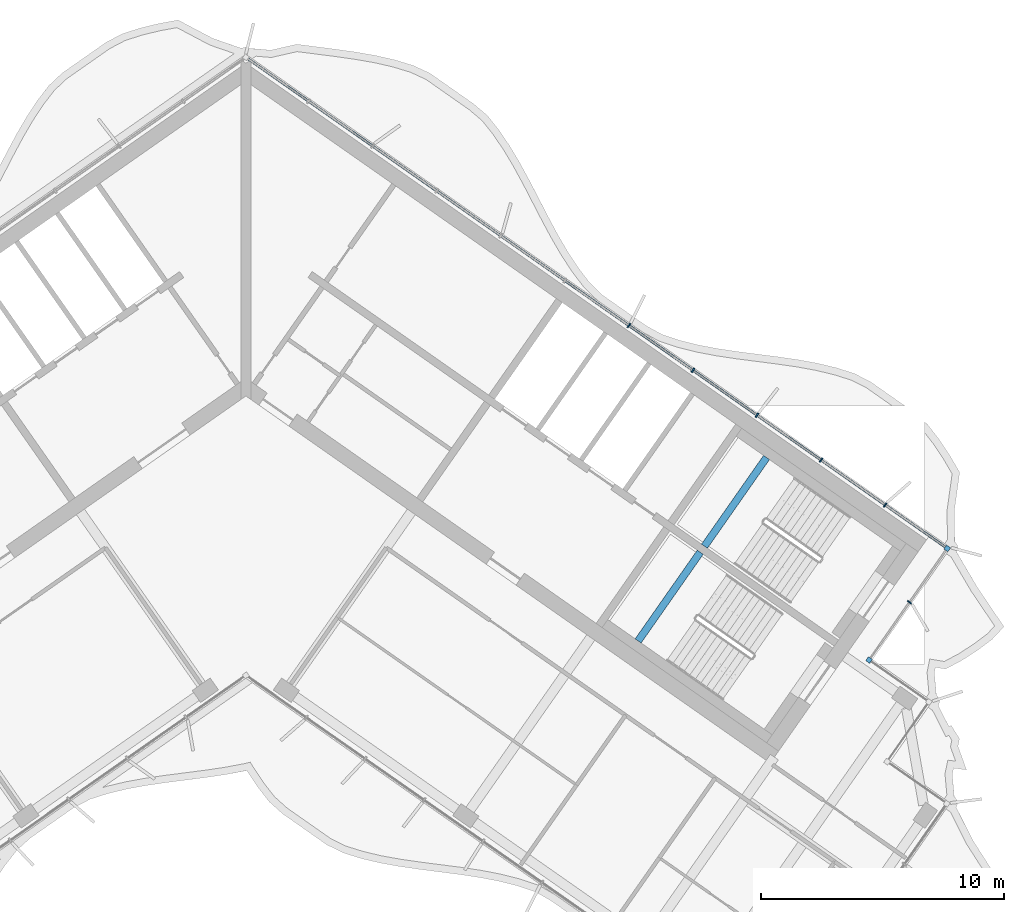
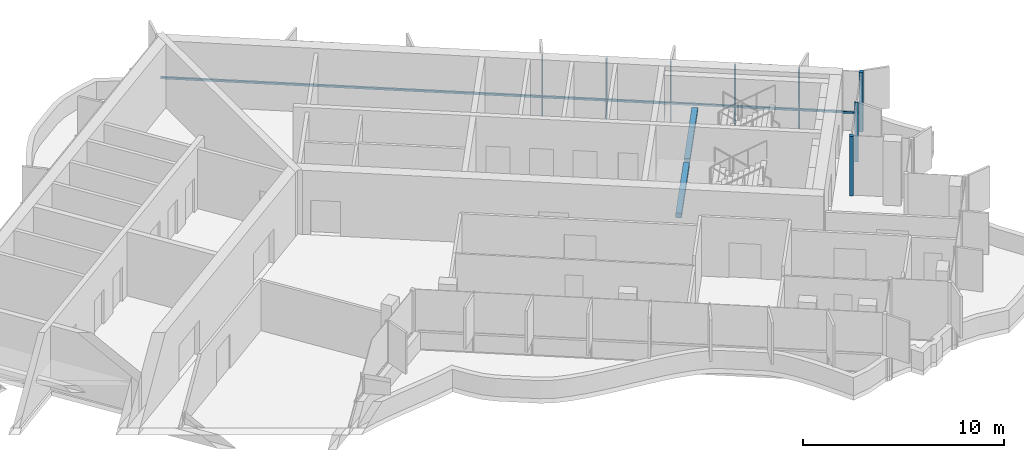
# One storey, part 5 of 17: 9 members, 2 beams, 1 element without a shape of its own.
"""IFC4 building model written with IfcOpenShell, lengths in metres."""

from ifc_helpers import new_model, si_unit, direction, frame, origin, origin_2d, place, context, subcontext, project, spatial, rectangle, extrude, material, material_profile, profile_set, type_object, element, aggregate, save


model = new_model("IFC4")

# Units and contexts
model_context = context("Model", 3, precision=1e-05, world=origin(), true_north=direction((0.0, 1.0)))
body_context = subcontext(model_context, "Body", "Model", "MODEL_VIEW")
ifc_project = project(units=[si_unit("LENGTHUNIT", "METRE"), si_unit("AREAUNIT", "SQUARE_METRE"), si_unit("VOLUMEUNIT", "CUBIC_METRE"), si_unit("PLANEANGLEUNIT", "RADIAN"), si_unit("MASSUNIT", "GRAM", prefix="KILO")], contexts=[model_context])

# Site, building, storey
site_placement = place(None, origin())
site = spatial("IfcSite", under=ifc_project, at=site_placement, CompositionType="ELEMENT")
building_placement = place(site_placement, origin())
building = spatial("IfcBuilding", under=site, at=building_placement, Name="Tel Ilan Convention Tower", CompositionType="ELEMENT")
storey_placement = place(building_placement, frame((0.0, 0.0, 291.699951171875)))
storey = spatial("IfcBuildingStorey", under=building, at=storey_placement, Name="L69", CompositionType="ELEMENT", Elevation=291.699951171875)

# Curtain wall, members
ifc_material_1 = material(Name="Aluminium, bronze anodised", Category="aluminium")
curtain_wall_type = type_object("IfcCurtainWallType", Name="CW2 STICK CURTAIN WALL, SPANDREL PANELS", PredefinedType="NOTDEFINED", material=ifc_material_1)
curtain_wall_placement = place(storey_placement, origin())
curtain_wall = element("IfcCurtainWall", 1, at=curtain_wall_placement, inside=storey, type_object=curtain_wall_type, Name="Curtain wall CW2-52.01", PredefinedType="NOTDEFINED")
ifc_material_2 = material(Name="Aluminium, bronze anodised", Category="aluminium")
ifc_material_profile_1 = material_profile(ifc_material_2, rectangle(XDim=0.199951171875, YDim=0.199951171875, at=origin_2d()), Name="CW CORNER MULLION 200x200")
ifc_profile_set_1 = profile_set([ifc_material_profile_1], Name="Aluminium, bronze anodised")
member_type_1 = type_object("IfcMemberType", Name="CW CORNER MULLION 200x200", PredefinedType="MULLION", material=ifc_profile_set_1)
member_1_placement = place(storey_placement, frame((25.607421875, -12.07080078125, 0.0), z_axis=(0.0, 0.0, 1.0), x_axis=(-0.819152044289, 0.573576436351, 0.0)))
member_1 = element("IfcMember", 2, at=member_1_placement, type_object=member_type_1, Name="Corner mullion", PredefinedType="MULLION", context=body_context, shape_type="SweptSolid", body=[
    extrude(rectangle(XDim=0.199951171875, YDim=0.199951171875, at=origin_2d()), origin(), (0.0, 0.0, 1.0), 3.6201171875),
])
member_2_placement = place(storey_placement, frame((28.819580078125, -7.483642578125, 0.0), z_axis=(0.0, 0.0, 1.0), x_axis=(0.573576436351, 0.819152044289, 0.0)))
member_2 = element("IfcMember", 3, at=member_2_placement, type_object=member_type_1, Name="Corner mullion", PredefinedType="MULLION", context=body_context, shape_type="SweptSolid", body=[
    extrude(rectangle(XDim=0.199951171875, YDim=0.199951171875, at=origin_2d()), origin(), (0.0, 0.0, 1.0), 3.6201171875),
])
ifc_material_3 = material(Name="Aluminium, bronze anodised", Category="aluminium")
ifc_material_profile_2 = material_profile(ifc_material_3, rectangle(XDim=0.06005859375, YDim=0.199951171875, at=origin_2d()), Name="CW MULLION 60x200")
ifc_profile_set_2 = profile_set([ifc_material_profile_2], Name="Aluminium, bronze anodised")
member_type_2 = type_object("IfcMemberType", Name="CW MULLION 60x200", PredefinedType="MULLION", material=ifc_profile_set_2)
member_3_placement = place(storey_placement, frame((27.27099609375, -9.6953125, 0.0), z_axis=(0.0, 0.0, 1.0), x_axis=(0.573576436351, 0.819152044289, 0.0)))
member_3 = element("IfcMember", 4, at=member_3_placement, type_object=member_type_2, Name="Mullion", PredefinedType="MULLION", context=body_context, shape_type="SweptSolid", body=[
    extrude(rectangle(XDim=0.06005859375, YDim=0.199951171875, at=origin_2d()), origin(), (0.0, 0.0, 1.0), 3.6201171875),
])
member_4_placement = place(storey_placement, frame((26.268798828125, -5.697509765625, 0.0), z_axis=(0.0, 0.0, 1.0), x_axis=(-0.819152044289, 0.573576436351, 0.0)))
member_4 = element("IfcMember", 5, at=member_4_placement, type_object=member_type_2, Name="Mullion", PredefinedType="MULLION", context=body_context, shape_type="SweptSolid", body=[
    extrude(rectangle(XDim=0.06005859375, YDim=0.199951171875, at=origin_2d()), origin(), (0.0, 0.0, 1.0), 3.6201171875),
])
member_5_placement = place(storey_placement, frame((23.63623046875, -3.854248046875, 0.0), z_axis=(0.0, 0.0, 1.0), x_axis=(-0.819152044289, 0.573576436351, 0.0)))
member_5 = element("IfcMember", 6, at=member_5_placement, type_object=member_type_2, Name="Mullion", PredefinedType="MULLION", context=body_context, shape_type="SweptSolid", body=[
    extrude(rectangle(XDim=0.06005859375, YDim=0.199951171875, at=origin_2d()), origin(), (0.0, 0.0, 1.0), 3.6201171875),
])
member_6_placement = place(storey_placement, frame((21.003662109375, -2.0107421875, 0.0), z_axis=(0.0, 0.0, 1.0), x_axis=(-0.819152044289, 0.573576436351, 0.0)))
member_6 = element("IfcMember", 7, at=member_6_placement, type_object=member_type_2, Name="Mullion", PredefinedType="MULLION", context=body_context, shape_type="SweptSolid", body=[
    extrude(rectangle(XDim=0.06005859375, YDim=0.199951171875, at=origin_2d()), origin(), (0.0, 0.0, 1.0), 3.6201171875),
])
member_7_placement = place(storey_placement, frame((18.37109375, -0.16748046875, 0.0), z_axis=(0.0, 0.0, 1.0), x_axis=(-0.819152044289, 0.573576436351, 0.0)))
member_7 = element("IfcMember", 8, at=member_7_placement, type_object=member_type_2, Name="Mullion", PredefinedType="MULLION", context=body_context, shape_type="SweptSolid", body=[
    extrude(rectangle(XDim=0.06005859375, YDim=0.199951171875, at=origin_2d()), origin(), (0.0, 0.0, 1.0), 3.6201171875),
])
member_8_placement = place(storey_placement, frame((15.73828125, 1.676025390625, 0.0), z_axis=(0.0, 0.0, 1.0), x_axis=(-0.819152044289, 0.573576436351, 0.0)))
member_8 = element("IfcMember", 9, at=member_8_placement, type_object=member_type_2, Name="Mullion", PredefinedType="MULLION", context=body_context, shape_type="SweptSolid", body=[
    extrude(rectangle(XDim=0.06005859375, YDim=0.199951171875, at=origin_2d()), origin(), (0.0, 0.0, 1.0), 3.6201171875),
])
ifc_material_4 = material(Name="Aluminium, bronze anodised", Category="aluminium")
ifc_material_profile_3 = material_profile(ifc_material_4, rectangle(XDim=0.10009765625, YDim=0.1201171875, at=origin_2d()), Name="CW TRANSOM 100x120")
ifc_profile_set_3 = profile_set([ifc_material_profile_3], Name="Aluminium, bronze anodised")
member_type_3 = type_object("IfcMemberType", Name="CW TRANSOM 100x120", PredefinedType="USERDEFINED", material=ifc_profile_set_3)
member_9_placement = place(storey_placement, frame((28.737548828125, -7.42626953125, 1.10009765625), z_axis=(-0.819150201937, 0.573579067494, 0.0), x_axis=(-0.573579067494, -0.819150201937, 0.0)))
member_9 = element("IfcMember", 10, at=member_9_placement, type_object=member_type_3, Name="Transom", ObjectType="TRANSOM", PredefinedType="USERDEFINED", context=body_context, shape_type="SweptSolid", body=[
    extrude(rectangle(XDim=0.10009765625, YDim=0.1201171875, at=origin_2d()), origin(), (0.0, 0.0, 1.0), 34.9521484375),
])
aggregate(curtain_wall, [member_1, member_3, member_2, member_4, member_5, member_6, member_7, member_8, member_9])

# Beams
ifc_material_5 = material(Name="Concrete C40/50", Category="concrete")
ifc_material_profile_4 = material_profile(ifc_material_5, rectangle(XDim=0.300048828125, YDim=0.300048828125, at=origin_2d()), Name="RC 300x300")
ifc_profile_set_4 = profile_set([ifc_material_profile_4], Name="Concrete C40/50")
beam_type = type_object("IfcBeamType", Name="Landing Beam RC 300x300 Concrete C40/50", PredefinedType="BEAM", material=ifc_profile_set_4)
beam_1_placement = place(storey_placement, frame((21.39404296875, -3.7490234375, 1.60009765625), z_axis=(-0.573547030514, -0.819172633691, 0.0), x_axis=(0.819172633691, -0.573547030514, 0.0)))
element("IfcBeam", 11, at=beam_1_placement, inside=storey, type_object=beam_type, Name="S3 landing beam L69.1", PredefinedType="BEAM", context=body_context, shape_type="SweptSolid", body=[
    extrude(rectangle(XDim=0.300048828125, YDim=0.300048828125, at=origin_2d()), origin(), (0.0, 0.0, 1.0), 4.449951171875),
])
beam_2_placement = place(storey_placement, frame((18.669677734375, -7.64013671875, 1.60009765625), z_axis=(-0.573583844845, -0.819146856756, 0.0), x_axis=(0.819146856756, -0.573583844845, 0.0)))
element("IfcBeam", 12, at=beam_2_placement, inside=storey, type_object=beam_type, Name="S4 landing beam L69.1", PredefinedType="BEAM", context=body_context, shape_type="SweptSolid", body=[
    extrude(rectangle(XDim=0.300048828125, YDim=0.300048828125, at=origin_2d()), origin(), (0.0, 0.0, 1.0), 4.4501953125),
])

save(model, "model.ifc")
